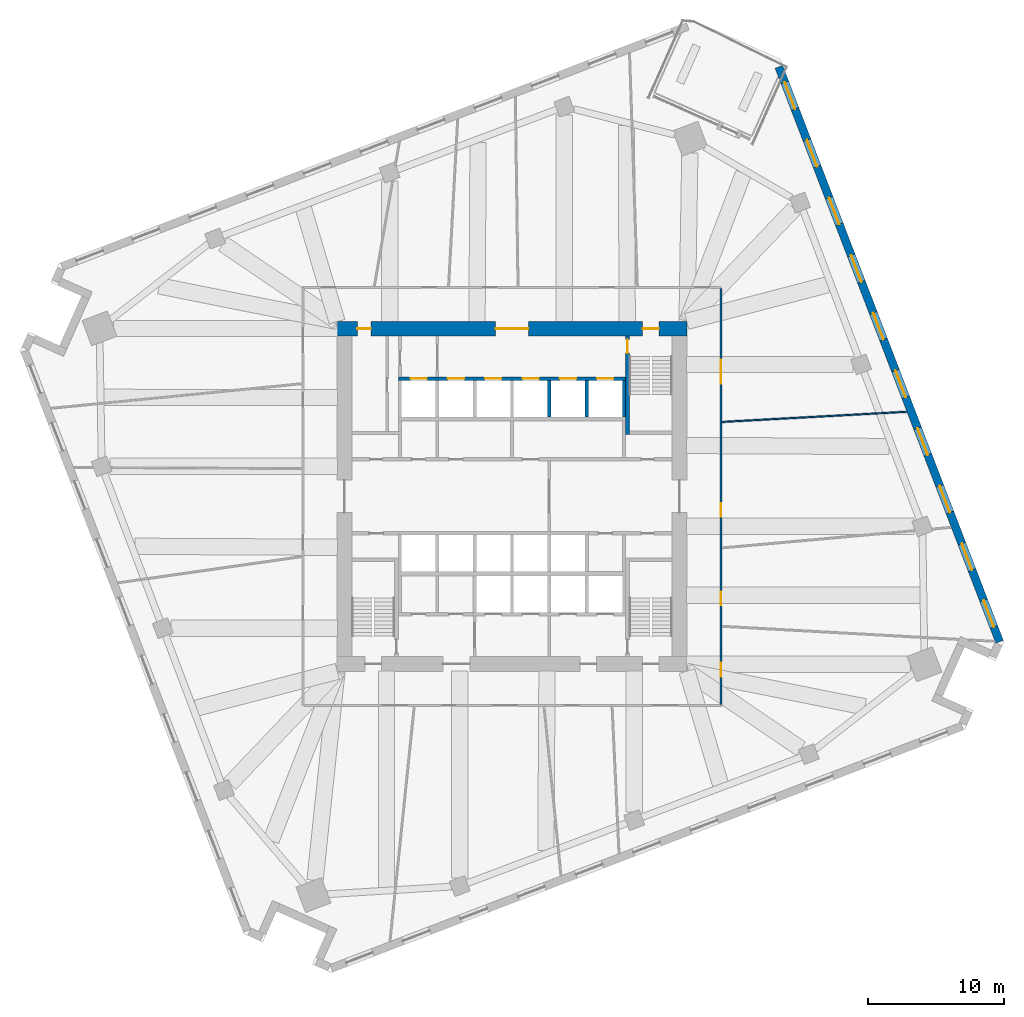
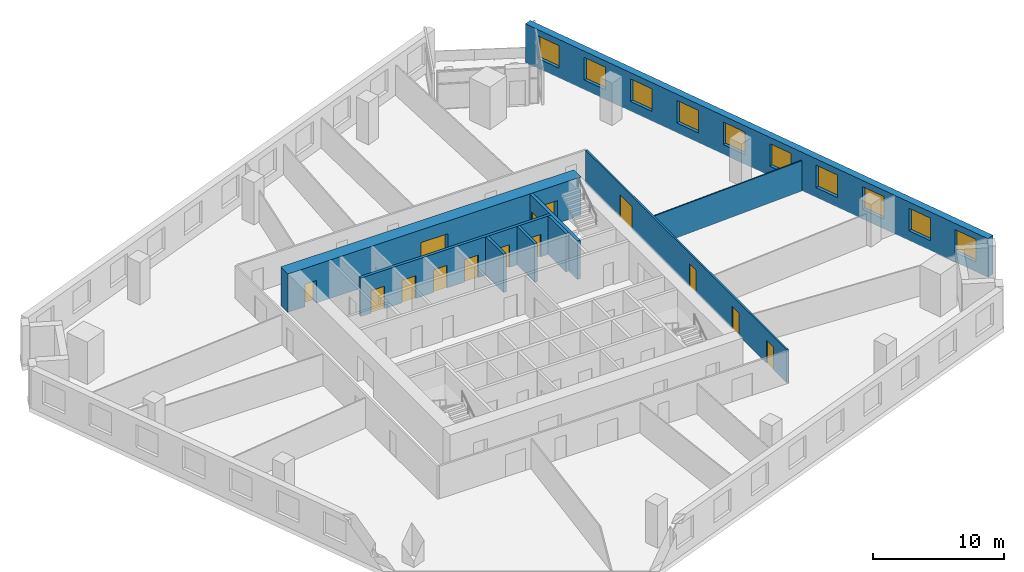
# One storey, part 11 of 14: 14 doors, 10 windows, 9 walls, 24 openings.
"""IFC4 building model written with IfcOpenShell, lengths in metres."""

from ifc_helpers import new_model, si_unit, direction, frame, frame_2d, origin, place, context, subcontext, project, spatial, rectangle, extrude, material, layer, layer_set, type_object, element, fill, save


model = new_model("IFC4")

# Units and contexts
model_context = context("Model", 3, precision=1e-05, world=origin(), true_north=direction((0.0, 1.0)))
body_context = subcontext(model_context, "Body", "Model", "MODEL_VIEW")
ifc_project = project(units=[si_unit("LENGTHUNIT", "METRE"), si_unit("AREAUNIT", "SQUARE_METRE"), si_unit("VOLUMEUNIT", "CUBIC_METRE"), si_unit("PLANEANGLEUNIT", "RADIAN"), si_unit("MASSUNIT", "GRAM", prefix="KILO")], contexts=[model_context])

# Site, building, storey
site_placement = place(None, origin())
site = spatial("IfcSite", under=ifc_project, at=site_placement, CompositionType="ELEMENT")
building_placement = place(site_placement, origin())
building = spatial("IfcBuilding", under=site, at=building_placement, Name="Dilmun Exchange Tower", CompositionType="ELEMENT")
storey_placement = place(building_placement, frame((0.0, 0.0, 102.10009765625)))
storey = spatial("IfcBuildingStorey", under=building, at=storey_placement, Name="L23", CompositionType="ELEMENT", Elevation=102.10009765625)

# Wall, openings, doors
ifc_material_1 = material(Name="Concrete C80/95", Category="concrete")
ifc_layer_1 = layer(ifc_material_1, 1.10009765625)
ifc_layer_set_1 = layer_set([ifc_layer_1], Name="Concrete C80/95")
wall_type_1 = type_object("IfcWallType", Name="Core shear wall 1100 Concrete C80/95", PredefinedType="SHEAR", material=ifc_layer_set_1)
wall_1_placement = place(storey_placement, frame((-12.89990234375, 12.35009765625, 0.0), z_axis=(0.0, 0.0, 1.0), x_axis=(1.0, 0.0, 0.0)))
wall_1 = element("IfcWall", 1, at=wall_1_placement, inside=storey, type_object=wall_type_1, Name="L23 core shear wall N", PredefinedType="SHEAR", context=body_context, shape_type="SweptSolid", body=[
    extrude(rectangle(XDim=25.7998046875, YDim=1.10009765625, at=frame_2d((12.89990234375, 0.0))), origin(), (0.0, 0.0, 1.0), 3.579833984375),
])
opening_1_placement = place(wall_1_placement, frame((11.699951171875, 0.0, 0.0)))
opening_1 = element("IfcOpeningElement", 2, at=opening_1_placement, cuts=wall_1, Name="Opening CD1", PredefinedType="OPENING", context=body_context, shape_type="SweptSolid", body=[
    extrude(rectangle(XDim=2.39990234375, YDim=2.39990234375, at=frame_2d((1.199951171875, 1.199951171875))), frame((0.0, 0.56005859375, 0.0), z_axis=(0.0, -1.0, 0.0), x_axis=(1.0, 0.0, 0.0)), (0.0, 0.0, 1.0), 1.1201171875),
])
opening_2_placement = place(wall_1_placement, frame((22.52490234375, 0.0, 0.0)))
opening_2 = element("IfcOpeningElement", 3, at=opening_2_placement, cuts=wall_1, Name="Opening CD3", PredefinedType="OPENING", context=body_context, shape_type="SweptSolid", body=[
    extrude(rectangle(XDim=1.199951171875, YDim=2.10009765625, at=frame_2d((0.60009765625, 1.050048828125))), frame((0.0, 0.56005859375, 0.0), z_axis=(0.0, -1.0, 0.0), x_axis=(1.0, 0.0, 0.0)), (0.0, 0.0, 1.0), 1.1201171875),
])
opening_3_placement = place(wall_1_placement, frame((1.5, 0.0, 0.0)))
opening_3 = element("IfcOpeningElement", 4, at=opening_3_placement, cuts=wall_1, Name="Opening CD4", PredefinedType="OPENING", context=body_context, shape_type="SweptSolid", body=[
    extrude(rectangle(XDim=1.0, YDim=2.10009765625, at=frame_2d((0.5, 1.050048828125))), frame((0.0, 0.56005859375, 0.0), z_axis=(0.0, -1.0, 0.0), x_axis=(1.0, 0.0, 0.0)), (0.0, 0.0, 1.0), 1.1201171875),
])
ifc_material_2 = material(Name="Fire-rated steel door set", Category="steel")
door_type_1 = type_object("IfcDoorType", Name="Core lobby door 2400x2400", OperationType="DOUBLE_DOOR_DOUBLE_SWING", PredefinedType="DOOR", material=ifc_material_2)
door_1_placement = place(opening_1_placement, origin())
door_1 = element("IfcDoor", 5, at=door_1_placement, inside=storey, type_object=door_type_1, Name="L23 door North lift lobby", OperationType="SINGLE_SWING_LEFT", OverallHeight=2.39990234375, OverallWidth=2.39990234375, PredefinedType="DOOR", context=body_context, shape_type="SweptSolid", body=[
    extrude(rectangle(XDim=2.39990234375, YDim=2.39990234375, at=frame_2d((1.199951171875, 1.199951171875))), frame((0.0, 0.02490234375, 0.0), z_axis=(0.0, -1.0, 0.0), x_axis=(1.0, 0.0, 0.0)), (0.0, 0.0, 1.0), 0.050048828125),
])
fill(opening_1, door_1)
door_type_2 = type_object("IfcDoorType", Name="Core room door 1000x2100", OperationType="SINGLE_SWING_LEFT", PredefinedType="DOOR", material=ifc_material_2)
door_2_placement = place(opening_3_placement, origin())
door_2 = element("IfcDoor", 6, at=door_2_placement, inside=storey, type_object=door_type_2, Name="L23 door North-west core rooms", OperationType="SINGLE_SWING_LEFT", OverallHeight=2.10009765625, OverallWidth=1.0, PredefinedType="DOOR", context=body_context, shape_type="SweptSolid", body=[
    extrude(rectangle(XDim=1.0, YDim=2.10009765625, at=frame_2d((0.5, 1.050048828125))), frame((0.0, 0.02490234375, 0.0), z_axis=(0.0, -1.0, 0.0), x_axis=(1.0, 0.0, 0.0)), (0.0, 0.0, 1.0), 0.050048828125),
])
fill(opening_3, door_2)
door_type_3 = type_object("IfcDoorType", Name="Stair exit door 1200x2100", OperationType="SINGLE_SWING_LEFT", PredefinedType="DOOR", material=ifc_material_2)
door_3_placement = place(opening_2_placement, origin())
door_3 = element("IfcDoor", 7, at=door_3_placement, inside=storey, type_object=door_type_3, Name="L23 door Stair ST1", OperationType="SINGLE_SWING_LEFT", OverallHeight=2.10009765625, OverallWidth=1.199951171875, PredefinedType="DOOR", context=body_context, shape_type="SweptSolid", body=[
    extrude(rectangle(XDim=1.199951171875, YDim=2.10009765625, at=frame_2d((0.60009765625, 1.050048828125))), frame((0.0, 0.02490234375, 0.0), z_axis=(0.0, -1.0, 0.0), x_axis=(1.0, 0.0, 0.0)), (0.0, 0.0, 1.0), 0.050048828125),
])
fill(opening_2, door_3)

ifc_material_3 = material(Name="Corridor wall 150")
ifc_layer_2 = layer(ifc_material_3, 0.14990234375)
ifc_layer_set_2 = layer_set([ifc_layer_2], Name="Corridor wall 150")
wall_type_2 = type_object("IfcWallType", Name="Corridor wall 150", PredefinedType="PARTITIONING", material=ifc_layer_set_2)
wall_2_placement = place(storey_placement, frame((15.39990234375, -15.324951171875, 0.0), z_axis=(0.0, 0.0, 1.0), x_axis=(0.0, 1.0, 0.0)))
wall_2 = element("IfcWall", 8, at=wall_2_placement, inside=storey, type_object=wall_type_2, Name="Corridor wall", PredefinedType="PARTITIONING", context=body_context, shape_type="SweptSolid", body=[
    extrude(rectangle(XDim=30.64990234375, YDim=0.14990234375, at=frame_2d((15.324951171875, 0.0))), origin(), (0.0, 0.0, 1.0), 3.079833984375),
])
opening_4_placement = place(wall_2_placement, frame((23.606201171875, 0.0, 0.0)))
opening_4 = element("IfcOpeningElement", 9, at=opening_4_placement, cuts=wall_2, Name="Opening TF23-D13", PredefinedType="OPENING", context=body_context, shape_type="SweptSolid", body=[
    extrude(rectangle(XDim=1.800048828125, YDim=2.10009765625, at=frame_2d((0.89990234375, 1.050048828125))), frame((0.0, 0.0849609375, 0.0), z_axis=(0.0, -1.0, 0.0), x_axis=(1.0, 0.0, 0.0)), (0.0, 0.0, 1.0), 0.169921875),
])
opening_5_placement = place(wall_2_placement, frame((2.050048828125, 0.0, 0.0)))
opening_5 = element("IfcOpeningElement", 10, at=opening_5_placement, cuts=wall_2, Name="Opening TF23-D16", PredefinedType="OPENING", context=body_context, shape_type="SweptSolid", body=[
    extrude(rectangle(XDim=1.0, YDim=2.10009765625, at=frame_2d((0.5, 1.050048828125))), frame((0.0, 0.0849609375, 0.0), z_axis=(0.0, -1.0, 0.0), x_axis=(1.0, 0.0, 0.0)), (0.0, 0.0, 1.0), 0.169921875),
])
opening_6_placement = place(wall_2_placement, frame((13.82177734375, 0.0, 0.0)))
opening_6 = element("IfcOpeningElement", 11, at=opening_6_placement, cuts=wall_2, Name="Opening TF23-D17", PredefinedType="OPENING", context=body_context, shape_type="SweptSolid", body=[
    extrude(rectangle(XDim=1.0, YDim=2.10009765625, at=frame_2d((0.5, 1.050048828125))), frame((0.0, 0.0849609375, 0.0), z_axis=(0.0, -1.0, 0.0), x_axis=(1.0, 0.0, 0.0)), (0.0, 0.0, 1.0), 0.169921875),
])
opening_7_placement = place(wall_2_placement, frame((7.305908203125, 0.0, 0.0)))
opening_7 = element("IfcOpeningElement", 12, at=opening_7_placement, cuts=wall_2, Name="Opening TF23-D18", PredefinedType="OPENING", context=body_context, shape_type="SweptSolid", body=[
    extrude(rectangle(XDim=1.0, YDim=2.10009765625, at=frame_2d((0.5, 1.050048828125))), frame((0.0, 0.0849609375, 0.0), z_axis=(0.0, -1.0, 0.0), x_axis=(1.0, 0.0, 0.0)), (0.0, 0.0, 1.0), 0.169921875),
])
ifc_material_4 = material(Name="Fire door 1000 x 2100")
door_type_4 = type_object("IfcDoorType", Name="Fire door 1000 x 2100", OperationType="NOTDEFINED", PredefinedType="DOOR", material=ifc_material_4)
door_4_placement = place(opening_5_placement, frame((1.0, 0.0, 0.0), z_axis=(0.0, 0.0, 1.0), x_axis=(-1.0, 0.0, 0.0)))
door_4 = element("IfcDoor", 13, at=door_4_placement, inside=storey, type_object=door_type_4, Name="Door TF23-D16", OperationType="SINGLE_SWING_RIGHT", OverallHeight=2.10009765625, OverallWidth=1.0, PredefinedType="DOOR", context=body_context, shape_type="SweptSolid", body=[
    extrude(rectangle(XDim=1.0, YDim=2.10009765625, at=frame_2d((0.5, 1.050048828125))), frame((0.0, 0.02490234375, 0.0), z_axis=(0.0, -1.0, 0.0), x_axis=(1.0, 0.0, 0.0)), (0.0, 0.0, 1.0), 0.050048828125),
])
fill(opening_5, door_4)
door_5_placement = place(opening_6_placement, frame((1.0, 0.0, 0.0), z_axis=(0.0, 0.0, 1.0), x_axis=(-1.0, 0.0, 0.0)))
door_5 = element("IfcDoor", 14, at=door_5_placement, inside=storey, type_object=door_type_4, Name="Door TF23-D17", OperationType="SINGLE_SWING_RIGHT", OverallHeight=2.10009765625, OverallWidth=1.0, PredefinedType="DOOR", context=body_context, shape_type="SweptSolid", body=[
    extrude(rectangle(XDim=1.0, YDim=2.10009765625, at=frame_2d((0.5, 1.050048828125))), frame((0.0, 0.02490234375, 0.0), z_axis=(0.0, -1.0, 0.0), x_axis=(1.0, 0.0, 0.0)), (0.0, 0.0, 1.0), 0.050048828125),
])
fill(opening_6, door_5)
door_6_placement = place(opening_7_placement, frame((1.0, 0.0, 0.0), z_axis=(0.0, 0.0, 1.0), x_axis=(-1.0, 0.0, 0.0)))
door_6 = element("IfcDoor", 15, at=door_6_placement, inside=storey, type_object=door_type_4, Name="Door TF23-D18", OperationType="SINGLE_SWING_RIGHT", OverallHeight=2.10009765625, OverallWidth=1.0, PredefinedType="DOOR", context=body_context, shape_type="SweptSolid", body=[
    extrude(rectangle(XDim=1.0, YDim=2.10009765625, at=frame_2d((0.5, 1.050048828125))), frame((0.0, 0.02490234375, 0.0), z_axis=(0.0, -1.0, 0.0), x_axis=(1.0, 0.0, 0.0)), (0.0, 0.0, 1.0), 0.050048828125),
])
fill(opening_7, door_6)
ifc_material_5 = material(Name="Fire door pair 1800 x 2100")
door_type_5 = type_object("IfcDoorType", Name="Fire door pair 1800 x 2100", OperationType="NOTDEFINED", PredefinedType="DOOR", material=ifc_material_5)
door_7_placement = place(opening_4_placement, frame((1.800048828125, 0.0, 0.0), z_axis=(0.0, 0.0, 1.0), x_axis=(-1.0, 0.0, 0.0)))
door_7 = element("IfcDoor", 16, at=door_7_placement, inside=storey, type_object=door_type_5, Name="Door TF23-D13", OperationType="DOUBLE_DOOR_SINGLE_SWING", OverallHeight=2.10009765625, OverallWidth=1.800048828125, PredefinedType="DOOR", context=body_context, shape_type="SweptSolid", body=[
    extrude(rectangle(XDim=1.800048828125, YDim=2.10009765625, at=frame_2d((0.89990234375, 1.050048828125))), frame((0.0, 0.02490234375, 0.0), z_axis=(0.0, -1.0, 0.0), x_axis=(1.0, 0.0, 0.0)), (0.0, 0.0, 1.0), 0.050048828125),
])
fill(opening_4, door_7)

ifc_material_6 = material(Name="Concrete C40/50", Category="concrete")
ifc_layer_3 = layer(ifc_material_6, 0.25)
ifc_layer_set_3 = layer_set([ifc_layer_3], Name="Concrete C40/50")
wall_type_3 = type_object("IfcWallType", Name="Lift shaft wall 250", PredefinedType="SOLIDWALL", material=ifc_layer_set_3)
wall_3_placement = place(storey_placement, frame((-8.375, 8.675048828125, 0.0), z_axis=(0.0, 0.0, 1.0), x_axis=(1.0, 0.0, 0.0)))
wall_3 = element("IfcWall", 17, at=wall_3_placement, inside=storey, type_object=wall_type_3, Name="L23 lift shaft front wall N2", PredefinedType="SOLIDWALL", context=body_context, shape_type="SweptSolid", body=[
    extrude(rectangle(XDim=16.75, YDim=0.25, at=frame_2d((8.375, 0.0))), origin(), (0.0, 0.0, 1.0), 3.579833984375),
])
opening_8_placement = place(wall_3_placement, frame((0.89990234375, 0.0, 0.0)))
opening_8 = element("IfcOpeningElement", 18, at=opening_8_placement, cuts=wall_3, Name="Opening LD", PredefinedType="OPENING", context=body_context, shape_type="SweptSolid", body=[
    extrude(rectangle(XDim=1.199951171875, YDim=2.10009765625, at=frame_2d((0.60009765625, 1.050048828125))), frame((0.0, 0.135009765625, 0.0), z_axis=(0.0, -1.0, 0.0), x_axis=(1.0, 0.0, 0.0)), (0.0, 0.0, 1.0), 0.27001953125),
])
opening_9_placement = place(wall_3_placement, frame((3.64990234375, 0.0, 0.0)))
opening_9 = element("IfcOpeningElement", 19, at=opening_9_placement, cuts=wall_3, Name="Opening LD", PredefinedType="OPENING", context=body_context, shape_type="SweptSolid", body=[
    extrude(rectangle(XDim=1.199951171875, YDim=2.10009765625, at=frame_2d((0.60009765625, 1.050048828125))), frame((0.0, 0.135009765625, 0.0), z_axis=(0.0, -1.0, 0.0), x_axis=(1.0, 0.0, 0.0)), (0.0, 0.0, 1.0), 0.27001953125),
])
opening_10_placement = place(wall_3_placement, frame((6.39990234375, 0.0, 0.0)))
opening_10 = element("IfcOpeningElement", 20, at=opening_10_placement, cuts=wall_3, Name="Opening LD", PredefinedType="OPENING", context=body_context, shape_type="SweptSolid", body=[
    extrude(rectangle(XDim=1.199951171875, YDim=2.10009765625, at=frame_2d((0.60009765625, 1.050048828125))), frame((0.0, 0.135009765625, 0.0), z_axis=(0.0, -1.0, 0.0), x_axis=(1.0, 0.0, 0.0)), (0.0, 0.0, 1.0), 0.27001953125),
])
opening_11_placement = place(wall_3_placement, frame((9.14990234375, 0.0, 0.0)))
opening_11 = element("IfcOpeningElement", 21, at=opening_11_placement, cuts=wall_3, Name="Opening LD", PredefinedType="OPENING", context=body_context, shape_type="SweptSolid", body=[
    extrude(rectangle(XDim=1.199951171875, YDim=2.10009765625, at=frame_2d((0.60009765625, 1.050048828125))), frame((0.0, 0.135009765625, 0.0), z_axis=(0.0, -1.0, 0.0), x_axis=(1.0, 0.0, 0.0)), (0.0, 0.0, 1.0), 0.27001953125),
])
opening_12_placement = place(wall_3_placement, frame((11.89990234375, 0.0, 0.0)))
opening_12 = element("IfcOpeningElement", 22, at=opening_12_placement, cuts=wall_3, Name="Opening LD", PredefinedType="OPENING", context=body_context, shape_type="SweptSolid", body=[
    extrude(rectangle(XDim=1.199951171875, YDim=2.10009765625, at=frame_2d((0.60009765625, 1.050048828125))), frame((0.0, 0.135009765625, 0.0), z_axis=(0.0, -1.0, 0.0), x_axis=(1.0, 0.0, 0.0)), (0.0, 0.0, 1.0), 0.27001953125),
])
opening_13_placement = place(wall_3_placement, frame((14.64990234375, 0.0, 0.0)))
opening_13 = element("IfcOpeningElement", 23, at=opening_13_placement, cuts=wall_3, Name="Opening LD", PredefinedType="OPENING", context=body_context, shape_type="SweptSolid", body=[
    extrude(rectangle(XDim=1.199951171875, YDim=2.10009765625, at=frame_2d((0.60009765625, 1.050048828125))), frame((0.0, 0.135009765625, 0.0), z_axis=(0.0, -1.0, 0.0), x_axis=(1.0, 0.0, 0.0)), (0.0, 0.0, 1.0), 0.27001953125),
])
door_type_6 = type_object("IfcDoorType", Name="Lift landing door 1200x2100", OperationType="DOUBLE_DOOR_SLIDING", PredefinedType="DOOR", material=ifc_material_2)
door_8_placement = place(opening_8_placement, origin())
door_8 = element("IfcDoor", 24, at=door_8_placement, inside=storey, type_object=door_type_6, Name="L23 landing door LR1", OperationType="DOUBLE_DOOR_SLIDING", OverallHeight=2.10009765625, OverallWidth=1.199951171875, PredefinedType="DOOR", context=body_context, shape_type="SweptSolid", body=[
    extrude(rectangle(XDim=1.199951171875, YDim=2.10009765625, at=frame_2d((0.60009765625, 1.050048828125))), frame((0.0, 0.02490234375, 0.0), z_axis=(0.0, -1.0, 0.0), x_axis=(1.0, 0.0, 0.0)), (0.0, 0.0, 1.0), 0.050048828125),
])
fill(opening_8, door_8)
door_9_placement = place(opening_9_placement, origin())
door_9 = element("IfcDoor", 25, at=door_9_placement, inside=storey, type_object=door_type_6, Name="L23 landing door LR2", OperationType="DOUBLE_DOOR_SLIDING", OverallHeight=2.10009765625, OverallWidth=1.199951171875, PredefinedType="DOOR", context=body_context, shape_type="SweptSolid", body=[
    extrude(rectangle(XDim=1.199951171875, YDim=2.10009765625, at=frame_2d((0.60009765625, 1.050048828125))), frame((0.0, 0.02490234375, 0.0), z_axis=(0.0, -1.0, 0.0), x_axis=(1.0, 0.0, 0.0)), (0.0, 0.0, 1.0), 0.050048828125),
])
fill(opening_9, door_9)
door_10_placement = place(opening_10_placement, origin())
door_10 = element("IfcDoor", 26, at=door_10_placement, inside=storey, type_object=door_type_6, Name="L23 landing door LR3", OperationType="DOUBLE_DOOR_SLIDING", OverallHeight=2.10009765625, OverallWidth=1.199951171875, PredefinedType="DOOR", context=body_context, shape_type="SweptSolid", body=[
    extrude(rectangle(XDim=1.199951171875, YDim=2.10009765625, at=frame_2d((0.60009765625, 1.050048828125))), frame((0.0, 0.02490234375, 0.0), z_axis=(0.0, -1.0, 0.0), x_axis=(1.0, 0.0, 0.0)), (0.0, 0.0, 1.0), 0.050048828125),
])
fill(opening_10, door_10)
door_11_placement = place(opening_11_placement, origin())
door_11 = element("IfcDoor", 27, at=door_11_placement, inside=storey, type_object=door_type_6, Name="L23 landing door LR4", OperationType="DOUBLE_DOOR_SLIDING", OverallHeight=2.10009765625, OverallWidth=1.199951171875, PredefinedType="DOOR", context=body_context, shape_type="SweptSolid", body=[
    extrude(rectangle(XDim=1.199951171875, YDim=2.10009765625, at=frame_2d((0.60009765625, 1.050048828125))), frame((0.0, 0.02490234375, 0.0), z_axis=(0.0, -1.0, 0.0), x_axis=(1.0, 0.0, 0.0)), (0.0, 0.0, 1.0), 0.050048828125),
])
fill(opening_11, door_11)
door_12_placement = place(opening_12_placement, origin())
door_12 = element("IfcDoor", 28, at=door_12_placement, inside=storey, type_object=door_type_6, Name="L23 landing door LR5", OperationType="DOUBLE_DOOR_SLIDING", OverallHeight=2.10009765625, OverallWidth=1.199951171875, PredefinedType="DOOR", context=body_context, shape_type="SweptSolid", body=[
    extrude(rectangle(XDim=1.199951171875, YDim=2.10009765625, at=frame_2d((0.60009765625, 1.050048828125))), frame((0.0, 0.02490234375, 0.0), z_axis=(0.0, -1.0, 0.0), x_axis=(1.0, 0.0, 0.0)), (0.0, 0.0, 1.0), 0.050048828125),
])
fill(opening_12, door_12)
door_13_placement = place(opening_13_placement, origin())
door_13 = element("IfcDoor", 29, at=door_13_placement, inside=storey, type_object=door_type_6, Name="L23 landing door LR6", OperationType="DOUBLE_DOOR_SLIDING", OverallHeight=2.10009765625, OverallWidth=1.199951171875, PredefinedType="DOOR", context=body_context, shape_type="SweptSolid", body=[
    extrude(rectangle(XDim=1.199951171875, YDim=2.10009765625, at=frame_2d((0.60009765625, 1.050048828125))), frame((0.0, 0.02490234375, 0.0), z_axis=(0.0, -1.0, 0.0), x_axis=(1.0, 0.0, 0.0)), (0.0, 0.0, 1.0), 0.050048828125),
])
fill(opening_13, door_13)

# Walls
for number, where, z_axis, x_axis, name in (
    (30, (2.75, 5.85009765625, 0.0), (0.0, 0.0, 1.0), (0.0, 1.0, 0.0), "L23 lift shaft divider N24"),
    (31, (5.5, 5.85009765625, 0.0), (0.0, 0.0, 1.0), (0.0, 1.0, 0.0), "L23 lift shaft divider N25"),
    (32, (8.25, 5.85009765625, 0.0), (0.0, 0.0, 1.0), (0.0, 1.0, 0.0), "L23 lift shaft divider N26"),
):
    element("IfcWall", number, at=place(storey_placement, frame(where, z_axis=z_axis, x_axis=x_axis)), inside=storey, type_object=wall_type_3, Name=name, PredefinedType="SOLIDWALL", context=body_context, shape_type="SweptSolid", body=[
        extrude(rectangle(XDim=2.699951171875, YDim=0.25, at=frame_2d((1.35009765625, 0.0))), origin(), (0.0, 0.0, 1.0), 3.579833984375),
    ])
ifc_material_7 = material(Name="Partition 100")
ifc_layer_4 = layer(ifc_material_7, 0.10009765625)
ifc_layer_set_4 = layer_set([ifc_layer_4], Name="Partition 100")
wall_type_4 = type_object("IfcWallType", Name="Partition 100", PredefinedType="PARTITIONING", material=ifc_layer_set_4)
wall_4_placement = place(storey_placement, frame((15.477783203125, 5.4853515625, 0.0), z_axis=(0.0, 0.0, 1.0), x_axis=(0.998486949927, 0.054989188257, 0.0)))
element("IfcWall", 33, at=wall_4_placement, inside=storey, type_object=wall_type_4, Name="Partition", PredefinedType="PARTITIONING", context=body_context, shape_type="SweptSolid", body=[
    extrude(rectangle(XDim=13.63916015625, YDim=0.10009765625, at=frame_2d((6.819580078125, 0.0))), origin(), (0.0, 0.0, 1.0), 2.829833984375),
])

# Wall, openings, windows
ifc_material_8 = material(Name="Precast concrete C50/60", Category="concrete")
ifc_layer_5 = layer(ifc_material_8, 0.60009765625)
ifc_layer_set_5 = layer_set([ifc_layer_5], Name="Precast concrete C50/60")
wall_type_5 = type_object("IfcWallType", Name="Precast stone-clad wall 600", PredefinedType="STANDARD", material=ifc_layer_set_5)
wall_5_placement = place(storey_placement, frame((35.92529296875, -10.712890625, 0.0), z_axis=(0.0, 0.0, 1.0), x_axis=(-0.35836716154, 0.933580728984, 0.0)))
wall_5 = element("IfcWall", 34, at=wall_5_placement, inside=storey, type_object=wall_type_5, Name="Facade wall L23-21", PredefinedType="STANDARD", context=body_context, shape_type="SweptSolid", body=[
    extrude(rectangle(XDim=45.3759765625, YDim=0.60009765625, at=frame_2d((22.68798828125, 0.0))), origin(), (0.0, 0.0, 1.0), 3.579833984375),
])
opening_14_placement = place(wall_5_placement, frame((1.162841796875, 0.0, 0.89990234375)))
opening_14 = element("IfcOpeningElement", 35, at=opening_14_placement, cuts=wall_5, Name="Opening W210-210", PredefinedType="OPENING", context=body_context, shape_type="SweptSolid", body=[
    extrude(rectangle(XDim=2.10009765625, YDim=2.10009765625, at=frame_2d((1.050048828125, 1.050048828125))), frame((0.0, 0.31005859375, 0.0), z_axis=(0.0, -1.0, 0.0), x_axis=(1.0, 0.0, 0.0)), (0.0, 0.0, 1.0), 0.6201171875),
])
opening_15_placement = place(wall_5_placement, frame((5.650634765625, 0.0, 0.89990234375)))
opening_15 = element("IfcOpeningElement", 36, at=opening_15_placement, cuts=wall_5, Name="Opening W210-210", PredefinedType="OPENING", context=body_context, shape_type="SweptSolid", body=[
    extrude(rectangle(XDim=2.10009765625, YDim=2.10009765625, at=frame_2d((1.050048828125, 1.050048828125))), frame((0.0, 0.31005859375, 0.0), z_axis=(0.0, -1.0, 0.0), x_axis=(1.0, 0.0, 0.0)), (0.0, 0.0, 1.0), 0.6201171875),
])
opening_16_placement = place(wall_5_placement, frame((10.20068359375, 0.0, 0.89990234375)))
opening_16 = element("IfcOpeningElement", 37, at=opening_16_placement, cuts=wall_5, Name="Opening W210-210", PredefinedType="OPENING", context=body_context, shape_type="SweptSolid", body=[
    extrude(rectangle(XDim=2.10009765625, YDim=2.10009765625, at=frame_2d((1.050048828125, 1.050048828125))), frame((0.0, 0.31005859375, 0.0), z_axis=(0.0, -1.0, 0.0), x_axis=(1.0, 0.0, 0.0)), (0.0, 0.0, 1.0), 0.6201171875),
])
opening_17_placement = place(wall_5_placement, frame((14.750732421875, 0.0, 0.89990234375)))
opening_17 = element("IfcOpeningElement", 38, at=opening_17_placement, cuts=wall_5, Name="Opening W210-210", PredefinedType="OPENING", context=body_context, shape_type="SweptSolid", body=[
    extrude(rectangle(XDim=2.10009765625, YDim=2.10009765625, at=frame_2d((1.050048828125, 1.050048828125))), frame((0.0, 0.31005859375, 0.0), z_axis=(0.0, -1.0, 0.0), x_axis=(1.0, 0.0, 0.0)), (0.0, 0.0, 1.0), 0.6201171875),
])
opening_18_placement = place(wall_5_placement, frame((19.30078125, 0.0, 0.89990234375)))
opening_18 = element("IfcOpeningElement", 39, at=opening_18_placement, cuts=wall_5, Name="Opening W210-210", PredefinedType="OPENING", context=body_context, shape_type="SweptSolid", body=[
    extrude(rectangle(XDim=2.10009765625, YDim=2.10009765625, at=frame_2d((1.050048828125, 1.050048828125))), frame((0.0, 0.31005859375, 0.0), z_axis=(0.0, -1.0, 0.0), x_axis=(1.0, 0.0, 0.0)), (0.0, 0.0, 1.0), 0.6201171875),
])
opening_19_placement = place(wall_5_placement, frame((23.8505859375, 0.0, 0.89990234375)))
opening_19 = element("IfcOpeningElement", 40, at=opening_19_placement, cuts=wall_5, Name="Opening W210-210", PredefinedType="OPENING", context=body_context, shape_type="SweptSolid", body=[
    extrude(rectangle(XDim=2.10009765625, YDim=2.10009765625, at=frame_2d((1.050048828125, 1.050048828125))), frame((0.0, 0.31005859375, 0.0), z_axis=(0.0, -1.0, 0.0), x_axis=(1.0, 0.0, 0.0)), (0.0, 0.0, 1.0), 0.6201171875),
])
opening_20_placement = place(wall_5_placement, frame((28.400634765625, 0.0, 0.89990234375)))
opening_20 = element("IfcOpeningElement", 41, at=opening_20_placement, cuts=wall_5, Name="Opening W210-210", PredefinedType="OPENING", context=body_context, shape_type="SweptSolid", body=[
    extrude(rectangle(XDim=2.10009765625, YDim=2.10009765625, at=frame_2d((1.050048828125, 1.050048828125))), frame((0.0, 0.31005859375, 0.0), z_axis=(0.0, -1.0, 0.0), x_axis=(1.0, 0.0, 0.0)), (0.0, 0.0, 1.0), 0.6201171875),
])
opening_21_placement = place(wall_5_placement, frame((32.95068359375, 0.0, 0.89990234375)))
opening_21 = element("IfcOpeningElement", 42, at=opening_21_placement, cuts=wall_5, Name="Opening W210-210", PredefinedType="OPENING", context=body_context, shape_type="SweptSolid", body=[
    extrude(rectangle(XDim=2.10009765625, YDim=2.10009765625, at=frame_2d((1.050048828125, 1.050048828125))), frame((0.0, 0.31005859375, 0.0), z_axis=(0.0, -1.0, 0.0), x_axis=(1.0, 0.0, 0.0)), (0.0, 0.0, 1.0), 0.6201171875),
])
opening_22_placement = place(wall_5_placement, frame((37.500732421875, 0.0, 0.89990234375)))
opening_22 = element("IfcOpeningElement", 43, at=opening_22_placement, cuts=wall_5, Name="Opening W210-210", PredefinedType="OPENING", context=body_context, shape_type="SweptSolid", body=[
    extrude(rectangle(XDim=2.10009765625, YDim=2.10009765625, at=frame_2d((1.050048828125, 1.050048828125))), frame((0.0, 0.31005859375, 0.0), z_axis=(0.0, -1.0, 0.0), x_axis=(1.0, 0.0, 0.0)), (0.0, 0.0, 1.0), 0.6201171875),
])
opening_23_placement = place(wall_5_placement, frame((42.05078125, 0.0, 0.89990234375)))
opening_23 = element("IfcOpeningElement", 44, at=opening_23_placement, cuts=wall_5, Name="Opening W210-210", PredefinedType="OPENING", context=body_context, shape_type="SweptSolid", body=[
    extrude(rectangle(XDim=2.10009765625, YDim=2.10009765625, at=frame_2d((1.050048828125, 1.050048828125))), frame((0.0, 0.31005859375, 0.0), z_axis=(0.0, -1.0, 0.0), x_axis=(1.0, 0.0, 0.0)), (0.0, 0.0, 1.0), 0.6201171875),
])
ifc_material_9 = material(Name="Clear low-emissivity glass in aluminium frame", Category="aluminium")
window_type = type_object("IfcWindowType", Name="Punched window 2100 x 2100", PartitioningType="DOUBLE_PANEL_VERTICAL", PredefinedType="WINDOW", material=ifc_material_9)
window_1_placement = place(opening_14_placement, origin())
window_1 = element("IfcWindow", 45, at=window_1_placement, inside=storey, type_object=window_type, Name="Window 22.1", OverallHeight=2.10009765625, OverallWidth=2.10009765625, PartitioningType="SINGLE_PANEL", PredefinedType="WINDOW", context=body_context, shape_type="SweptSolid", body=[
    extrude(rectangle(XDim=2.10009765625, YDim=2.10009765625, at=frame_2d((1.050048828125, 1.050048828125))), frame((0.0, 0.030029296875, 0.0), z_axis=(0.0, -1.0, 0.0), x_axis=(1.0, 0.0, 0.0)), (0.0, 0.0, 1.0), 0.06005859375),
])
fill(opening_14, window_1)
window_2_placement = place(opening_15_placement, origin())
window_2 = element("IfcWindow", 46, at=window_2_placement, inside=storey, type_object=window_type, Name="Window 22.2", OverallHeight=2.10009765625, OverallWidth=2.10009765625, PartitioningType="SINGLE_PANEL", PredefinedType="WINDOW", context=body_context, shape_type="SweptSolid", body=[
    extrude(rectangle(XDim=2.10009765625, YDim=2.10009765625, at=frame_2d((1.050048828125, 1.050048828125))), frame((0.0, 0.030029296875, 0.0), z_axis=(0.0, -1.0, 0.0), x_axis=(1.0, 0.0, 0.0)), (0.0, 0.0, 1.0), 0.06005859375),
])
fill(opening_15, window_2)
window_3_placement = place(opening_16_placement, origin())
window_3 = element("IfcWindow", 47, at=window_3_placement, inside=storey, type_object=window_type, Name="Window 22.3", OverallHeight=2.10009765625, OverallWidth=2.10009765625, PartitioningType="SINGLE_PANEL", PredefinedType="WINDOW", context=body_context, shape_type="SweptSolid", body=[
    extrude(rectangle(XDim=2.10009765625, YDim=2.10009765625, at=frame_2d((1.050048828125, 1.050048828125))), frame((0.0, 0.030029296875, 0.0), z_axis=(0.0, -1.0, 0.0), x_axis=(1.0, 0.0, 0.0)), (0.0, 0.0, 1.0), 0.06005859375),
])
fill(opening_16, window_3)
window_4_placement = place(opening_17_placement, origin())
window_4 = element("IfcWindow", 48, at=window_4_placement, inside=storey, type_object=window_type, Name="Window 22.4", OverallHeight=2.10009765625, OverallWidth=2.10009765625, PartitioningType="SINGLE_PANEL", PredefinedType="WINDOW", context=body_context, shape_type="SweptSolid", body=[
    extrude(rectangle(XDim=2.10009765625, YDim=2.10009765625, at=frame_2d((1.050048828125, 1.050048828125))), frame((0.0, 0.030029296875, 0.0), z_axis=(0.0, -1.0, 0.0), x_axis=(1.0, 0.0, 0.0)), (0.0, 0.0, 1.0), 0.06005859375),
])
fill(opening_17, window_4)
window_5_placement = place(opening_18_placement, origin())
window_5 = element("IfcWindow", 49, at=window_5_placement, inside=storey, type_object=window_type, Name="Window 22.5", OverallHeight=2.10009765625, OverallWidth=2.10009765625, PartitioningType="SINGLE_PANEL", PredefinedType="WINDOW", context=body_context, shape_type="SweptSolid", body=[
    extrude(rectangle(XDim=2.10009765625, YDim=2.10009765625, at=frame_2d((1.050048828125, 1.050048828125))), frame((0.0, 0.030029296875, 0.0), z_axis=(0.0, -1.0, 0.0), x_axis=(1.0, 0.0, 0.0)), (0.0, 0.0, 1.0), 0.06005859375),
])
fill(opening_18, window_5)
window_6_placement = place(opening_19_placement, origin())
window_6 = element("IfcWindow", 50, at=window_6_placement, inside=storey, type_object=window_type, Name="Window 22.6", OverallHeight=2.10009765625, OverallWidth=2.10009765625, PartitioningType="SINGLE_PANEL", PredefinedType="WINDOW", context=body_context, shape_type="SweptSolid", body=[
    extrude(rectangle(XDim=2.10009765625, YDim=2.10009765625, at=frame_2d((1.050048828125, 1.050048828125))), frame((0.0, 0.030029296875, 0.0), z_axis=(0.0, -1.0, 0.0), x_axis=(1.0, 0.0, 0.0)), (0.0, 0.0, 1.0), 0.06005859375),
])
fill(opening_19, window_6)
window_7_placement = place(opening_20_placement, origin())
window_7 = element("IfcWindow", 51, at=window_7_placement, inside=storey, type_object=window_type, Name="Window 22.7", OverallHeight=2.10009765625, OverallWidth=2.10009765625, PartitioningType="SINGLE_PANEL", PredefinedType="WINDOW", context=body_context, shape_type="SweptSolid", body=[
    extrude(rectangle(XDim=2.10009765625, YDim=2.10009765625, at=frame_2d((1.050048828125, 1.050048828125))), frame((0.0, 0.030029296875, 0.0), z_axis=(0.0, -1.0, 0.0), x_axis=(1.0, 0.0, 0.0)), (0.0, 0.0, 1.0), 0.06005859375),
])
fill(opening_20, window_7)
window_8_placement = place(opening_21_placement, origin())
window_8 = element("IfcWindow", 52, at=window_8_placement, inside=storey, type_object=window_type, Name="Window 22.8", OverallHeight=2.10009765625, OverallWidth=2.10009765625, PartitioningType="SINGLE_PANEL", PredefinedType="WINDOW", context=body_context, shape_type="SweptSolid", body=[
    extrude(rectangle(XDim=2.10009765625, YDim=2.10009765625, at=frame_2d((1.050048828125, 1.050048828125))), frame((0.0, 0.030029296875, 0.0), z_axis=(0.0, -1.0, 0.0), x_axis=(1.0, 0.0, 0.0)), (0.0, 0.0, 1.0), 0.06005859375),
])
fill(opening_21, window_8)
window_9_placement = place(opening_22_placement, origin())
window_9 = element("IfcWindow", 53, at=window_9_placement, inside=storey, type_object=window_type, Name="Window 22.9", OverallHeight=2.10009765625, OverallWidth=2.10009765625, PartitioningType="SINGLE_PANEL", PredefinedType="WINDOW", context=body_context, shape_type="SweptSolid", body=[
    extrude(rectangle(XDim=2.10009765625, YDim=2.10009765625, at=frame_2d((1.050048828125, 1.050048828125))), frame((0.0, 0.030029296875, 0.0), z_axis=(0.0, -1.0, 0.0), x_axis=(1.0, 0.0, 0.0)), (0.0, 0.0, 1.0), 0.06005859375),
])
fill(opening_22, window_9)
window_10_placement = place(opening_23_placement, origin())
window_10 = element("IfcWindow", 54, at=window_10_placement, inside=storey, type_object=window_type, Name="Window 22.10", OverallHeight=2.10009765625, OverallWidth=2.10009765625, PartitioningType="SINGLE_PANEL", PredefinedType="WINDOW", context=body_context, shape_type="SweptSolid", body=[
    extrude(rectangle(XDim=2.10009765625, YDim=2.10009765625, at=frame_2d((1.050048828125, 1.050048828125))), frame((0.0, 0.030029296875, 0.0), z_axis=(0.0, -1.0, 0.0), x_axis=(1.0, 0.0, 0.0)), (0.0, 0.0, 1.0), 0.06005859375),
])
fill(opening_23, window_10)

# Wall, opening, door
ifc_layer_6 = layer(ifc_material_6, 0.27490234375)
ifc_layer_set_6 = layer_set([ifc_layer_6], Name="Concrete C40/50")
wall_type_6 = type_object("IfcWallType", Name="Stair wall 275", PredefinedType="SOLIDWALL", material=ifc_layer_set_6)
wall_6_placement = place(storey_placement, frame((8.512451171875, 4.550048828125, 0.0), z_axis=(0.0, 0.0, 1.0), x_axis=(0.0, 1.0, 0.0)))
wall_6 = element("IfcWall", 55, at=wall_6_placement, inside=storey, type_object=wall_type_6, Name="L23 ST1 wall to lift block", PredefinedType="SOLIDWALL", context=body_context, shape_type="SweptSolid", body=[
    extrude(rectangle(XDim=7.25, YDim=0.27490234375, at=frame_2d((3.625, 0.0))), origin(), (0.0, 0.0, 1.0), 3.579833984375),
])
opening_24_placement = place(wall_6_placement, frame((6.0, 0.0, 0.0)))
opening_24 = element("IfcOpeningElement", 56, at=opening_24_placement, cuts=wall_6, Name="Opening CD4", PredefinedType="OPENING", context=body_context, shape_type="SweptSolid", body=[
    extrude(rectangle(XDim=1.0, YDim=2.10009765625, at=frame_2d((0.5, 1.050048828125))), frame((0.0, 0.1474609375, 0.0), z_axis=(0.0, -1.0, 0.0), x_axis=(1.0, 0.0, 0.0)), (0.0, 0.0, 1.0), 0.294921875),
])
door_14_placement = place(opening_24_placement, origin())
door_14 = element("IfcDoor", 57, at=door_14_placement, inside=storey, type_object=door_type_2, Name="L23 door ST1 from lobby", OperationType="SINGLE_SWING_LEFT", OverallHeight=2.10009765625, OverallWidth=1.0, PredefinedType="DOOR", context=body_context, shape_type="SweptSolid", body=[
    extrude(rectangle(XDim=1.0, YDim=2.10009765625, at=frame_2d((0.5, 1.050048828125))), frame((0.0, 0.02490234375, 0.0), z_axis=(0.0, -1.0, 0.0), x_axis=(1.0, 0.0, 0.0)), (0.0, 0.0, 1.0), 0.050048828125),
])
fill(opening_24, door_14)

save(model, "model.ifc")
